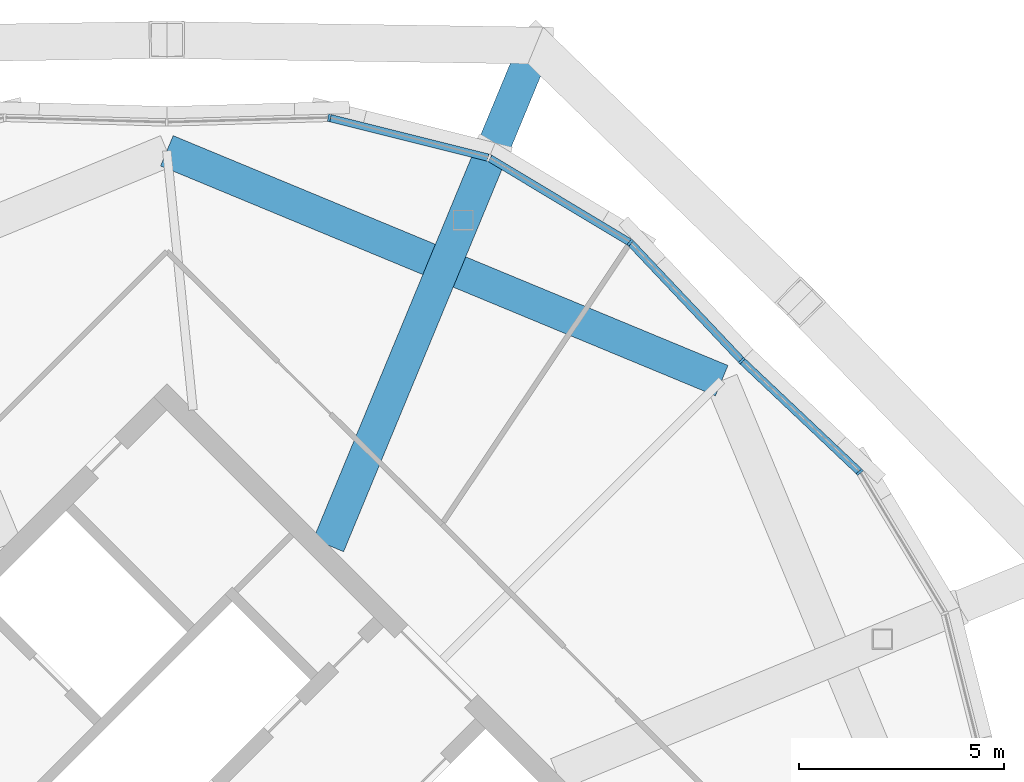
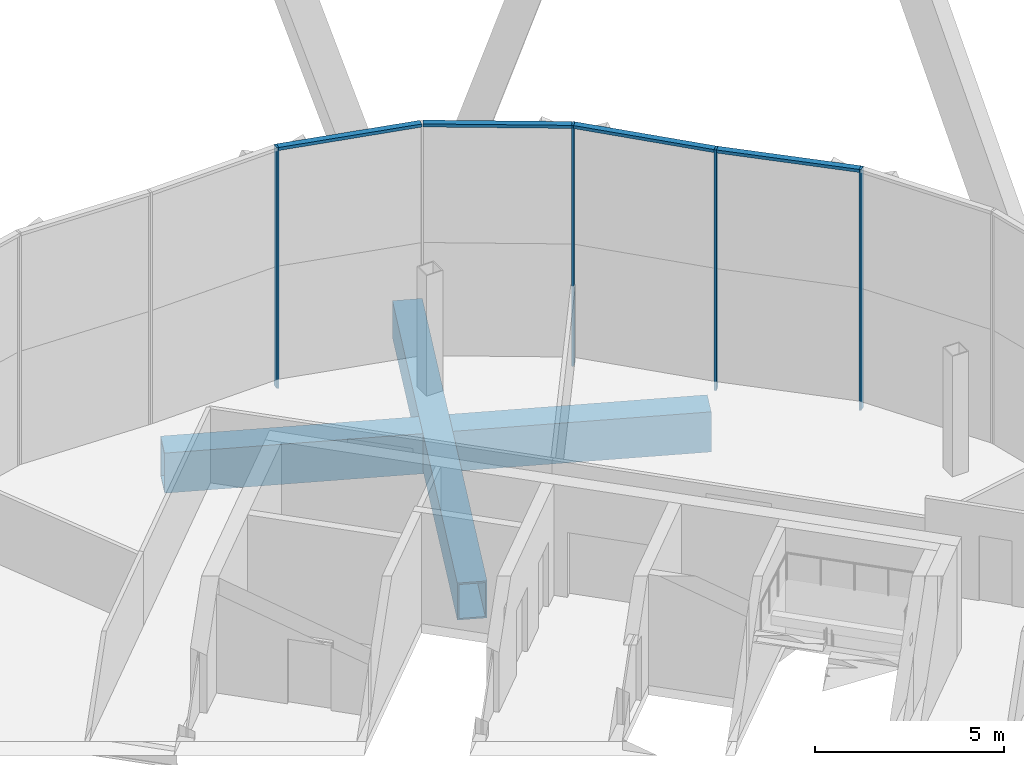
# One storey, part 36 of 53: 8 members, 2 beams, 2 elements without a shape of their own.
"""IFC4 building model written with IfcOpenShell, lengths in metres."""

from ifc_helpers import new_model, si_unit, direction, frame, origin, origin_2d, place, context, subcontext, project, spatial, rectangle, hollow_rectangle, extrude, material, material_profile, profile_set, type_object, element, aggregate, save


model = new_model("IFC4")

# Units and contexts
model_context = context("Model", 3, precision=1e-05, world=origin(), true_north=direction((0.0, 1.0)))
body_context = subcontext(model_context, "Body", "Model", "MODEL_VIEW")
ifc_project = project(units=[si_unit("LENGTHUNIT", "METRE"), si_unit("AREAUNIT", "SQUARE_METRE"), si_unit("VOLUMEUNIT", "CUBIC_METRE"), si_unit("PLANEANGLEUNIT", "RADIAN"), si_unit("MASSUNIT", "GRAM", prefix="KILO")], contexts=[model_context])

# Site, building, storey
site_placement = place(None, origin())
site = spatial("IfcSite", under=ifc_project, at=site_placement, CompositionType="ELEMENT")
building_placement = place(site_placement, origin())
building = spatial("IfcBuilding", under=site, at=building_placement, Name="Ogive Gate Towers", CompositionType="ELEMENT")
storey_placement = place(building_placement, frame((0.0, 0.0, 240.60009765625)))
storey = spatial("IfcBuildingStorey", under=building, at=storey_placement, Name="L57", CompositionType="ELEMENT", Elevation=240.60009765625)

# Beam
ifc_material_1 = material(Name="Steel SM460", Category="steel")
ifc_material_profile_1 = material_profile(ifc_material_1, hollow_rectangle(XDim=0.800048828125, YDim=1.300048828125, WallThickness=0.050048828125, at=origin_2d()), Name="BX 1300x800x50")
ifc_profile_set_1 = profile_set([ifc_material_profile_1], Name="Steel SM460")
beam_type_1 = type_object("IfcBeamType", Name="Edge girder BX 1300x800x50", PredefinedType="BEAM", material=ifc_profile_set_1)
beam_1_placement = place(storey_placement, frame((49.5126953125, 13.5126953125, -0.9501953125), z_axis=(-0.923872994947, 0.38269921506, 0.0), x_axis=(-0.38269921506, -0.923872994947, 0.0)))
element("IfcBeam", 1, at=beam_1_placement, inside=storey, type_object=beam_type_1, Name="T2/L57/SBM021", PredefinedType="BEAM", context=body_context, shape_type="SweptSolid", body=[
    extrude(hollow_rectangle(XDim=0.800048828125, YDim=1.300048828125, WallThickness=0.050048828125, at=origin_2d()), origin(), (0.0, 0.0, 1.0), 14.626220703125),
])

# Curtain wall, members
ifc_material_2 = material(Name="Pale metal aluminium", Category="aluminium")
curtain_wall_type = type_object("IfcCurtainWallType", Name="Tower unitised wall, high zone", PredefinedType="NOTDEFINED", material=ifc_material_2)
curtain_wall_1_placement = place(storey_placement, origin())
curtain_wall_1 = element("IfcCurtainWall", 2, at=curtain_wall_1_placement, inside=storey, type_object=curtain_wall_type, Name="CW2 T2 ECW01", PredefinedType="NOTDEFINED")
ifc_material_profile_2 = material_profile(ifc_material_2, rectangle(XDim=0.179931640625, YDim=0.06005859375, at=origin_2d()), Name="60 x 180 aluminium box")
ifc_profile_set_2 = profile_set([ifc_material_profile_2], Name="Pale metal aluminium")
member_type_1 = type_object("IfcMemberType", Name="Tower unitised wall, high zone mullion 60 x 180", PredefinedType="MULLION", material=ifc_profile_set_2)
member_1_placement = place(storey_placement, frame((52.875, 11.284912109375, -0.300048828125), z_axis=(0.0, 0.0, 1.0), x_axis=(0.779283280466, 0.626671819046, 0.0)))
member_1 = element("IfcMember", 3, at=member_1_placement, type_object=member_type_1, Name="CW2 mullion", PredefinedType="MULLION", context=body_context, shape_type="SweptSolid", body=[
    extrude(rectangle(XDim=0.179931640625, YDim=0.06005859375, at=origin_2d()), origin(), (0.0, 0.0, 1.0), 7.800048828125),
])
member_2_placement = place(storey_placement, frame((50.0009765625, 14.00048828125, -0.300048828125), z_axis=(0.0, 0.0, 1.0), x_axis=(0.686795789687, 0.726850427027, 0.0)))
member_2 = element("IfcMember", 4, at=member_2_placement, type_object=member_type_1, Name="CW2 mullion", PredefinedType="MULLION", context=body_context, shape_type="SweptSolid", body=[
    extrude(rectangle(XDim=0.179931640625, YDim=0.06005859375, at=origin_2d()), origin(), (0.0, 0.0, 1.0), 7.800048828125),
])

curtain_wall_2_placement = place(storey_placement, origin())
curtain_wall_2 = element("IfcCurtainWall", 5, at=curtain_wall_2_placement, inside=storey, type_object=curtain_wall_type, Name="CW2 T2 ECW02", PredefinedType="NOTDEFINED")
member_3_placement = place(storey_placement, frame((47.284912109375, 16.875, -0.300048828125), z_axis=(0.0, 0.0, 1.0), x_axis=(0.626671819046, 0.779283280466, 0.0)))
member_3 = element("IfcMember", 6, at=member_3_placement, type_object=member_type_1, Name="CW2 mullion", PredefinedType="MULLION", context=body_context, shape_type="SweptSolid", body=[
    extrude(rectangle(XDim=0.179931640625, YDim=0.06005859375, at=origin_2d()), origin(), (0.0, 0.0, 1.0), 7.800048828125),
])
member_4_placement = place(storey_placement, frame((39.95263671875, 19.912109375, -0.300048828125), z_axis=(0.0, 0.0, 1.0), x_axis=(0.107912599257, 0.994160384909, 0.0)))
member_4 = element("IfcMember", 7, at=member_4_placement, type_object=member_type_1, Name="CW2 mullion", PredefinedType="MULLION", context=body_context, shape_type="SweptSolid", body=[
    extrude(rectangle(XDim=0.179931640625, YDim=0.06005859375, at=origin_2d()), origin(), (0.0, 0.0, 1.0), 7.800048828125),
])

# Member
ifc_material_profile_3 = material_profile(ifc_material_2, rectangle(XDim=0.179931640625, YDim=0.10009765625, at=origin_2d()), Name="100 x 180 aluminium box")
ifc_profile_set_3 = profile_set([ifc_material_profile_3], Name="Pale metal aluminium")
member_type_2 = type_object("IfcMemberType", Name="Tower unitised wall, high zone transom 100 x 180", PredefinedType="USERDEFINED", material=ifc_profile_set_3)
member_5_placement = place(storey_placement, frame((52.85400390625, 11.3046875, 7.449951171875), z_axis=(-0.726848007603, 0.686798350204, 0.0), x_axis=(-0.686798350204, -0.726848007603, 0.0)))
member_5 = element("IfcMember", 8, at=member_5_placement, type_object=member_type_2, Name="CW2 transom", ObjectType="TRANSOM", PredefinedType="USERDEFINED", context=body_context, shape_type="SweptSolid", body=[
    extrude(rectangle(XDim=0.179931640625, YDim=0.10009765625, at=origin_2d()), origin(), (0.0, 0.0, 1.0), 3.895263671875),
])

aggregate(curtain_wall_1, [member_1, member_2, member_5])

member_6_placement = place(storey_placement, frame((49.97998046875, 14.022705078125, 7.449951171875), z_axis=(-0.686798350204, 0.726848007603, 0.0), x_axis=(-0.726848007603, -0.686798350204, 0.0)))
member_6 = element("IfcMember", 9, at=member_6_placement, type_object=member_type_2, Name="CW2 transom", ObjectType="TRANSOM", PredefinedType="USERDEFINED", context=body_context, shape_type="SweptSolid", body=[
    extrude(rectangle(XDim=0.179931640625, YDim=0.10009765625, at=origin_2d()), origin(), (0.0, 0.0, 1.0), 3.895263671875),
])

member_7_placement = place(storey_placement, frame((47.260498046875, 16.8896484375, 7.449951171875), z_axis=(-0.857296782072, 0.51482252034, 0.0), x_axis=(-0.51482252034, -0.857296782072, 0.0)))
member_7 = element("IfcMember", 10, at=member_7_placement, type_object=member_type_2, Name="CW2 transom", ObjectType="TRANSOM", PredefinedType="USERDEFINED", context=body_context, shape_type="SweptSolid", body=[
    extrude(rectangle(XDim=0.179931640625, YDim=0.10009765625, at=origin_2d()), origin(), (0.0, 0.0, 1.0), 3.955078125),
])

member_8_placement = place(storey_placement, frame((43.81787109375, 18.947509765625, 7.449951171875), z_axis=(-0.970251335251, 0.24209986874, 0.0), x_axis=(-0.24209986874, -0.970251335251, 0.0)))
member_8 = element("IfcMember", 11, at=member_8_placement, type_object=member_type_2, Name="CW2 transom", ObjectType="TRANSOM", PredefinedType="USERDEFINED", context=body_context, shape_type="SweptSolid", body=[
    extrude(rectangle(XDim=0.179931640625, YDim=0.10009765625, at=origin_2d()), origin(), (0.0, 0.0, 1.0), 3.955078125),
])

aggregate(curtain_wall_2, [member_3, member_6, member_7, member_4, member_8])

# Beam
ifc_material_profile_4 = material_profile(ifc_material_1, hollow_rectangle(XDim=0.800048828125, YDim=1.199951171875, WallThickness=0.050048828125, at=origin_2d()), Name="BX 1200x800x50")
ifc_profile_set_4 = profile_set([ifc_material_profile_4], Name="Steel SM460")
beam_type_2 = type_object("IfcBeamType", Name="Transfer radial beam BX 1200x800x50", PredefinedType="BEAM", material=ifc_profile_set_4)
beam_2_placement = place(storey_placement, frame((39.93505859375, 9.5, -0.900146484375), z_axis=(0.382680688612, 0.923880669006, 0.0), x_axis=(-0.923880669006, 0.382680688612, 0.0)))
element("IfcBeam", 12, at=beam_2_placement, inside=storey, type_object=beam_type_2, Name="T2/L57/SBM010", PredefinedType="BEAM", context=body_context, shape_type="SweptSolid", body=[
    extrude(hollow_rectangle(XDim=0.800048828125, YDim=1.199951171875, WallThickness=0.050048828125, at=origin_2d()), origin(), (0.0, 0.0, 1.0), 13.177490234375),
])

save(model, "model.ifc")
